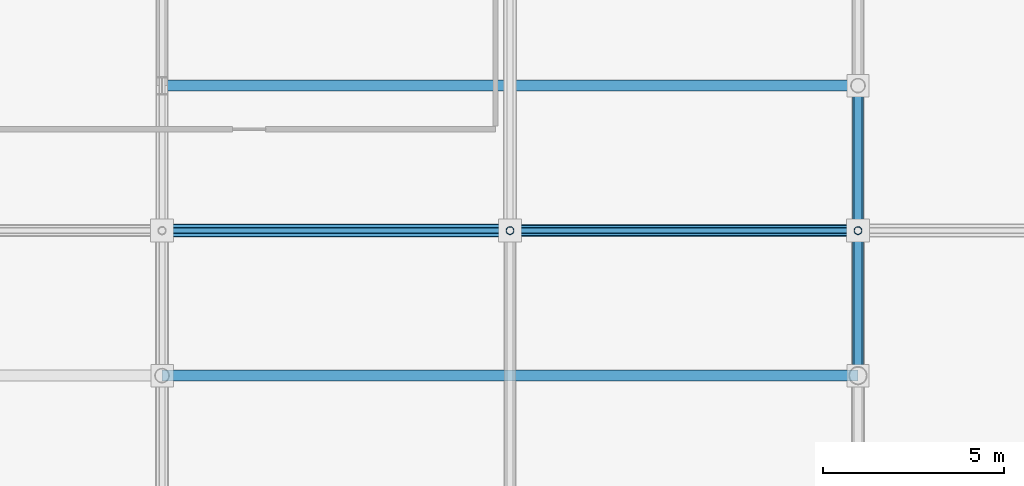
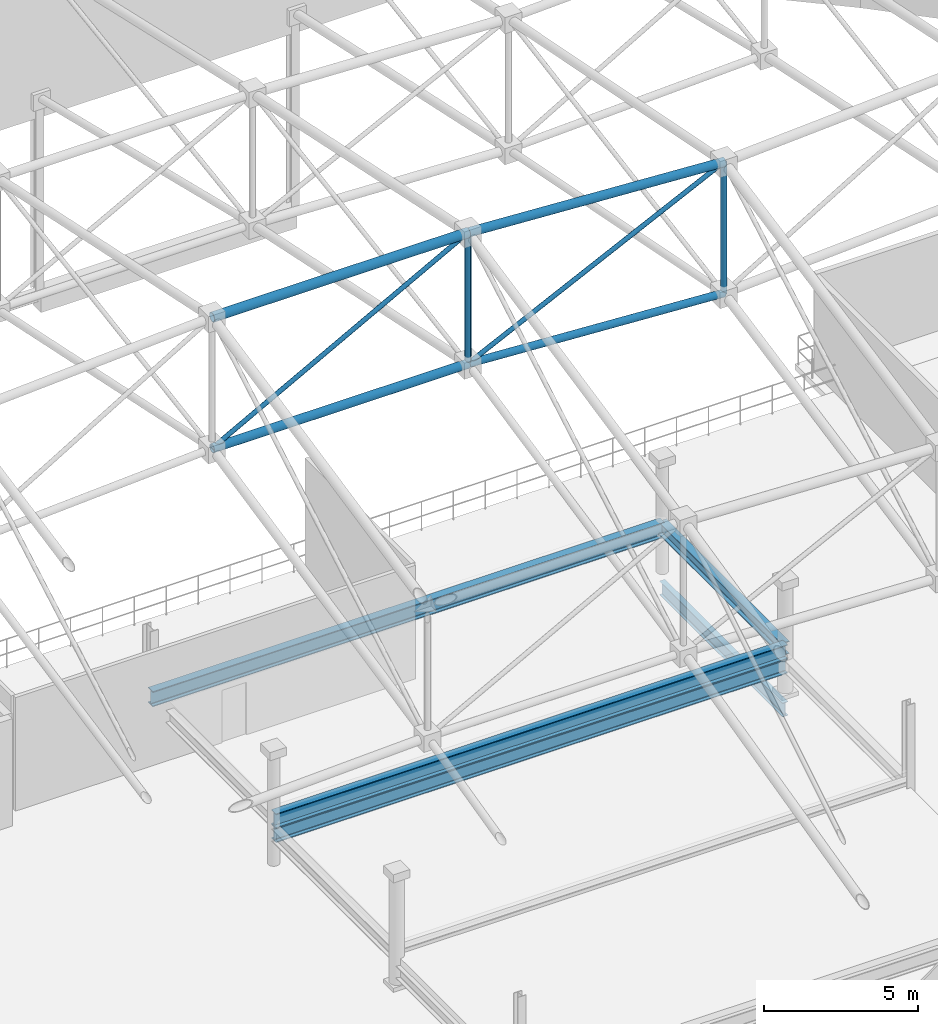
# One storey, part 110 of 193: 8 members, 5 beams.
"""IFC4 building model written with IfcOpenShell, lengths in metres."""

from ifc_helpers import new_model, si_unit, direction, frame, origin, origin_2d, place, context, subcontext, project, spatial, hollow_circle, i_section, extrude, material, material_profile, profile_set, type_object, element, save


model = new_model("IFC4")

# Units and contexts
model_context = context("Model", 3, precision=1e-05, world=origin(), true_north=direction((0.0, 1.0)))
body_context = subcontext(model_context, "Body", "Model", "MODEL_VIEW")
ifc_project = project(units=[si_unit("LENGTHUNIT", "METRE"), si_unit("AREAUNIT", "SQUARE_METRE"), si_unit("VOLUMEUNIT", "CUBIC_METRE"), si_unit("PLANEANGLEUNIT", "RADIAN"), si_unit("MASSUNIT", "GRAM", prefix="KILO")], contexts=[model_context])

# Site, building, storey
site_placement = place(None, origin())
site = spatial("IfcSite", under=ifc_project, at=site_placement, CompositionType="ELEMENT")
building_placement = place(site_placement, origin())
building = spatial("IfcBuilding", under=site, at=building_placement, Name="Danafjord Basin Convention Centre", CompositionType="ELEMENT")
storey_placement = place(building_placement, frame((0.0, 0.0, 11.39990234375)))
storey = spatial("IfcBuildingStorey", under=building, at=storey_placement, Name="L02", CompositionType="ELEMENT", Elevation=11.39990234375)

# Beams
ifc_material = material(Name="Steel S355", Category="steel")
ifc_material_profile_1 = material_profile(ifc_material, i_section(OverallWidth=0.300048828125, OverallDepth=0.5, WebThickness=0.014404296875, FlangeThickness=0.028076171875, FilletRadius=0.027099609375, at=origin_2d()), Name="HEB 500")
ifc_profile_set_1 = profile_set([ifc_material_profile_1], Name="Steel S355")
beam_type_1 = type_object("IfcBeamType", Name="BEAM-BM-HEB500", PredefinedType="BEAM", material=ifc_profile_set_1)
beam_1_placement = place(storey_placement, frame((172.800048828125, 112.0, 1.77001953125), z_axis=(0.0, 1.0, 0.0), x_axis=(-1.0, 0.0, 0.0)))
element("IfcBeam", 1, at=beam_1_placement, inside=storey, type_object=beam_type_1, Name="Balcony tier carrier girder", PredefinedType="BEAM", context=body_context, shape_type="SweptSolid", body=[
    extrude(i_section(OverallWidth=0.300048828125, OverallDepth=0.5, WebThickness=0.014404296875, FlangeThickness=0.028076171875, FilletRadius=0.027099609375, at=origin_2d()), origin(), (0.0, 0.0, 1.0), 8.0),
])
ifc_material_profile_2 = material_profile(ifc_material, i_section(OverallWidth=0.300048828125, OverallDepth=0.60009765625, WebThickness=0.015380859375, FlangeThickness=0.030029296875, FilletRadius=0.027099609375, at=origin_2d()), Name="HEB 600")
ifc_profile_set_2 = profile_set([ifc_material_profile_2], Name="Steel S355")
beam_type_2 = type_object("IfcBeamType", Name="BEAM-BM-HEB600", PredefinedType="BEAM", material=ifc_profile_set_2)
for number, where, z_axis, x_axis, name in (
    (2, (153.60009765625, 112.0, 1.18017578125), (1.0, 0.0, 0.0), (0.0, 1.0, 0.0), "Balcony tier transverse girder"),
    (3, (153.60009765625, 112.0, 1.72021484375), (1.0, 0.0, 0.0), (0.0, 1.0, 0.0), "Balcony tier transverse girder"),
    (4, (153.60009765625, 120.0, 1.72021484375), (1.0, 0.0, 0.0), (0.0, 1.0, 0.0), "Balcony tier transverse girder"),
):
    element("IfcBeam", number, at=place(storey_placement, frame(where, z_axis=z_axis, x_axis=x_axis)), inside=storey, type_object=beam_type_2, Name=name, PredefinedType="BEAM", context=body_context, shape_type="SweptSolid", body=[
        extrude(i_section(OverallWidth=0.300048828125, OverallDepth=0.60009765625, WebThickness=0.015380859375, FlangeThickness=0.030029296875, FilletRadius=0.027099609375, at=origin_2d()), origin(), (0.0, 0.0, 1.0), 19.199951171875),
    ])
ifc_material_profile_3 = material_profile(ifc_material, i_section(OverallWidth=0.2099609375, OverallDepth=0.550048828125, WebThickness=0.010986328125, FlangeThickness=0.01708984375, FilletRadius=0.02392578125, at=origin_2d()), Name="IPE 550")
ifc_profile_set_3 = profile_set([ifc_material_profile_3], Name="Steel S355")
beam_type_3 = type_object("IfcBeamType", Name="BEAM-BM-IPE550", PredefinedType="BEAM", material=ifc_profile_set_3)
beam_2_placement = place(storey_placement, frame((172.800048828125, 112.0, -0.635009765625), z_axis=(0.0, 1.0, 0.0), x_axis=(-1.0, 0.0, 0.0)))
element("IfcBeam", 5, at=beam_2_placement, inside=storey, type_object=beam_type_3, Name="L02 transverse girder BM-IPE550", PredefinedType="BEAM", context=body_context, shape_type="SweptSolid", body=[
    extrude(i_section(OverallWidth=0.2099609375, OverallDepth=0.550048828125, WebThickness=0.010986328125, FlangeThickness=0.01708984375, FilletRadius=0.02392578125, at=origin_2d()), origin(), (0.0, 0.0, 1.0), 8.0),
])

# Members
ifc_material_profile_4 = material_profile(ifc_material, hollow_circle(Radius=0.136474609375, WallThickness=0.012451171875, at=origin_2d()), Name="CHS 273.0x12.5")
ifc_profile_set_4 = profile_set([ifc_material_profile_4], Name="Steel S355")
member_type_1 = type_object("IfcMemberType", Name="MEM-CH-CHS273", PredefinedType="CHORD", material=ifc_profile_set_4)
member_1_placement = place(storey_placement, frame((163.199951171875, 116.0, 14.0126953125), z_axis=(0.998287828511, 0.0, -0.058492832432), x_axis=(0.0, 1.0, 0.0)))
element("IfcMember", 6, at=member_1_placement, inside=storey, type_object=member_type_1, Name="V2 roof truss longitudinal bottom chord", PredefinedType="CHORD", context=body_context, shape_type="SweptSolid", body=[
    extrude(hollow_circle(Radius=0.136474609375, WallThickness=0.012451171875, at=origin_2d()), origin(), (0.0, 0.0, 1.0), 9.616455078125),
])
ifc_material_profile_5 = material_profile(ifc_material, hollow_circle(Radius=0.161865234375, WallThickness=0.01611328125, at=origin_2d()), Name="CHS 323.9x16.0")
ifc_profile_set_5 = profile_set([ifc_material_profile_5], Name="Steel S355")
member_type_2 = type_object("IfcMemberType", Name="MEM-CH-CHS324", PredefinedType="CHORD", material=ifc_profile_set_5)
member_2_placement = place(storey_placement, frame((153.60009765625, 116.0, 14.0126953125), z_axis=(1.0, 0.0, 0.0), x_axis=(0.0, 1.0, 0.0)))
element("IfcMember", 7, at=member_2_placement, inside=storey, type_object=member_type_2, Name="V2 roof truss longitudinal bottom chord", PredefinedType="CHORD", context=body_context, shape_type="SweptSolid", body=[
    extrude(hollow_circle(Radius=0.161865234375, WallThickness=0.01611328125, at=origin_2d()), origin(), (0.0, 0.0, 1.0), 9.599853515625),
])
member_3_placement = place(storey_placement, frame((163.199951171875, 116.0, 19.212646484375), z_axis=(0.998287828511, 0.0, -0.058492832432), x_axis=(0.0, 1.0, 0.0)))
element("IfcMember", 8, at=member_3_placement, inside=storey, type_object=member_type_2, Name="V2 roof truss longitudinal top chord", PredefinedType="CHORD", context=body_context, shape_type="SweptSolid", body=[
    extrude(hollow_circle(Radius=0.161865234375, WallThickness=0.01611328125, at=origin_2d()), origin(), (0.0, 0.0, 1.0), 9.616455078125),
])
ifc_material_profile_6 = material_profile(ifc_material, hollow_circle(Radius=0.177734375, WallThickness=0.01611328125, at=origin_2d()), Name="CHS 355.6x16.0")
ifc_profile_set_6 = profile_set([ifc_material_profile_6], Name="Steel S355")
member_type_3 = type_object("IfcMemberType", Name="MEM-CH-CHS355", PredefinedType="CHORD", material=ifc_profile_set_6)
member_4_placement = place(storey_placement, frame((153.60009765625, 116.0, 19.212646484375), z_axis=(1.0, 0.0, 0.0), x_axis=(0.0, 1.0, 0.0)))
element("IfcMember", 9, at=member_4_placement, inside=storey, type_object=member_type_3, Name="V2 roof truss longitudinal top chord", PredefinedType="CHORD", context=body_context, shape_type="SweptSolid", body=[
    extrude(hollow_circle(Radius=0.177734375, WallThickness=0.01611328125, at=origin_2d()), origin(), (0.0, 0.0, 1.0), 9.599853515625),
])
ifc_material_profile_7 = material_profile(ifc_material, hollow_circle(Radius=0.109619140625, WallThickness=0.010009765625, at=origin_2d()), Name="CHS 219.1x10.0")
ifc_profile_set_7 = profile_set([ifc_material_profile_7], Name="Steel S355")
member_type_4 = type_object("IfcMemberType", Name="MEM-ST-CHS219", PredefinedType="STRUT", material=ifc_profile_set_7)
for number, where, z_axis, x_axis, name in (
    (10, (163.199951171875, 116.0, 14.0126953125), (0.0, 0.0, 1.0), (1.0, 0.0, 0.0), "V2 roof truss vertical strut"),
    (11, (172.800048828125, 116.0, 13.4501953125), (0.0, 0.0, 1.0), (1.0, 0.0, 0.0), "V2 roof truss vertical strut"),
):
    element("IfcMember", number, at=place(storey_placement, frame(where, z_axis=z_axis, x_axis=x_axis)), inside=storey, type_object=member_type_4, Name=name, PredefinedType="STRUT", context=body_context, shape_type="SweptSolid", body=[
        extrude(hollow_circle(Radius=0.109619140625, WallThickness=0.010009765625, at=origin_2d()), origin(), (0.0, 0.0, 1.0), 5.199951171875),
    ])
ifc_material_profile_8 = material_profile(ifc_material, hollow_circle(Radius=0.084228515625, WallThickness=0.008056640625, at=origin_2d()), Name="CHS 168.3x8.0")
ifc_profile_set_8 = profile_set([ifc_material_profile_8], Name="Steel S355")
member_type_5 = type_object("IfcMemberType", Name="MEM-WB-CHS168", PredefinedType="MEMBER", material=ifc_profile_set_8)
member_5_placement = place(storey_placement, frame((153.60009765625, 116.0, 14.0126953125), z_axis=(0.879290795913, 0.0, 0.476285309686), x_axis=(0.0, 1.0, 0.0)))
element("IfcMember", 12, at=member_5_placement, inside=storey, type_object=member_type_5, Name="V2 space-frame longitudinal web", PredefinedType="MEMBER", context=body_context, shape_type="SweptSolid", body=[
    extrude(hollow_circle(Radius=0.084228515625, WallThickness=0.008056640625, at=origin_2d()), origin(), (0.0, 0.0, 1.0), 10.917724609375),
])
member_6_placement = place(storey_placement, frame((163.199951171875, 116.0, 14.0126953125), z_axis=(0.900444333578, 0.0, 0.434971265864), x_axis=(0.0, 1.0, 0.0)))
element("IfcMember", 13, at=member_6_placement, inside=storey, type_object=member_type_5, Name="V2 space-frame longitudinal web", PredefinedType="MEMBER", context=body_context, shape_type="SweptSolid", body=[
    extrude(hollow_circle(Radius=0.084228515625, WallThickness=0.008056640625, at=origin_2d()), origin(), (0.0, 0.0, 1.0), 10.66162109375),
])

save(model, "model.ifc")
